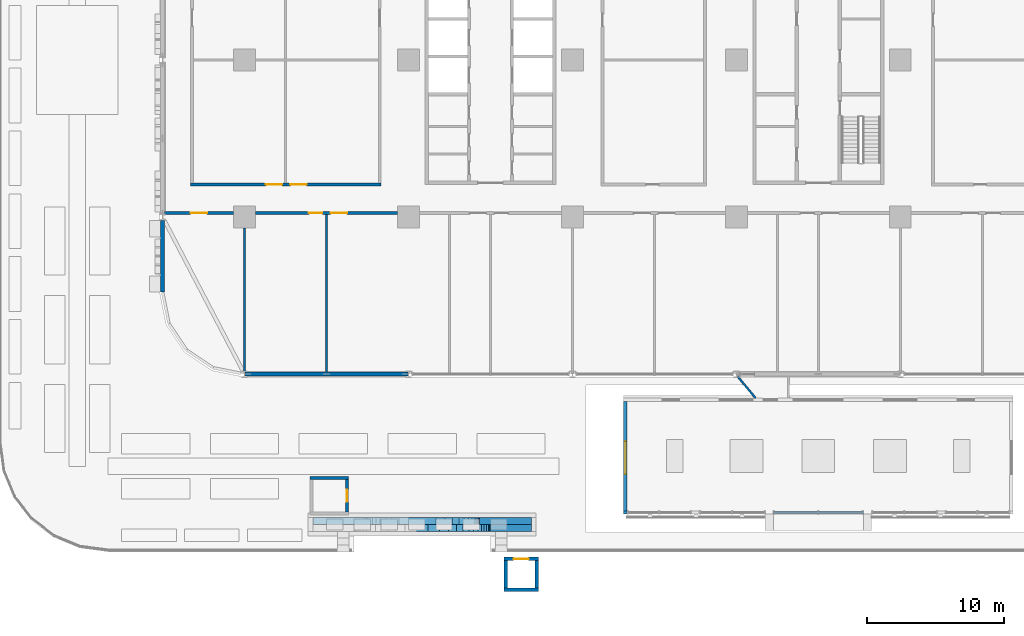
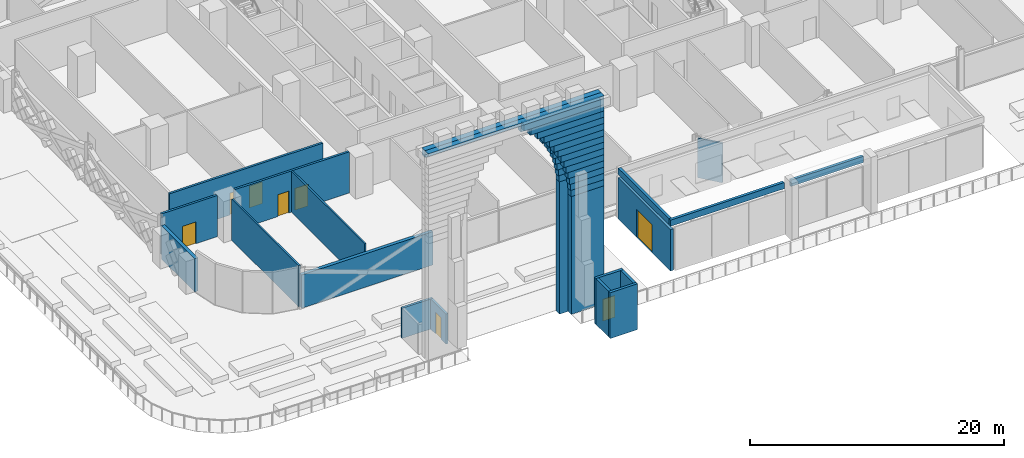
# One storey, part 11 of 39: 48 walls, 8 doors, 8 openings.
"""IFC4 building model written with IfcOpenShell, lengths in metres."""

from ifc_helpers import new_model, si_unit, direction, frame, frame_2d, origin, place, context, subcontext, project, spatial, polyline, rectangle, outline, extrude, material, layer, layer_set, type_object, element, fill, save


model = new_model("IFC4")

# Units and contexts
model_context = context("Model", 3, precision=1e-05, world=origin(), true_north=direction((0.0, 1.0)))
body_context = subcontext(model_context, "Body", "Model", "MODEL_VIEW")
ifc_project = project(units=[si_unit("LENGTHUNIT", "METRE"), si_unit("AREAUNIT", "SQUARE_METRE"), si_unit("VOLUMEUNIT", "CUBIC_METRE"), si_unit("PLANEANGLEUNIT", "RADIAN"), si_unit("MASSUNIT", "GRAM", prefix="KILO")], contexts=[model_context])

# Site, building, storey
site_placement = place(None, origin())
site = spatial("IfcSite", under=ifc_project, at=site_placement, CompositionType="ELEMENT")
building_placement = place(site_placement, origin())
building = spatial("IfcBuilding", under=site, at=building_placement, Name="Mahtab Terrace Research Tower", CompositionType="ELEMENT")
storey_placement = place(building_placement, frame((0.0, 0.0, 7.199951171875)))
storey = spatial("IfcBuildingStorey", under=building, at=storey_placement, Name="L01", CompositionType="ELEMENT", Elevation=7.199951171875)

# Wall
ifc_material_1 = material(Name="Concrete C40/50", Category="concrete")
ifc_layer_1 = layer(ifc_material_1, 0.199951171875)
ifc_layer_set_1 = layer_set([ifc_layer_1], Name="Deck kiosk wall 200")
wall_type_1 = type_object("IfcWallType", Name="Deck kiosk wall 200", PredefinedType="SOLIDWALL", material=ifc_layer_set_1)
wall_1_placement = place(storey_placement, frame((-37.199951171875, -30.60009765625, 0.0), z_axis=(0.0, 0.0, 1.0), x_axis=(1.0, 0.0, 0.0)))
element("IfcWall", 1, at=wall_1_placement, inside=storey, type_object=wall_type_1, Name="Deck kiosk wall PS1", PredefinedType="SOLIDWALL", context=body_context, shape_type="SweptSolid", body=[
    extrude(rectangle(XDim=2.800048828125, YDim=0.199951171875, at=frame_2d((1.39990234375, 0.0))), origin(), (0.0, 0.0, 1.0), 2.900146484375),
])

# Wall, opening, door
wall_2_placement = place(storey_placement, frame((-34.5, -30.699951171875, 0.0), z_axis=(0.0, 0.0, 1.0), x_axis=(0.0, -1.0, 0.0)))
wall_2 = element("IfcWall", 2, at=wall_2_placement, inside=storey, type_object=wall_type_1, Name="Deck kiosk wall PS1", PredefinedType="SOLIDWALL", context=body_context, shape_type="SweptSolid", body=[
    extrude(rectangle(XDim=2.400146484375, YDim=0.199951171875, at=frame_2d((1.2001953125, 0.0))), origin(), (0.0, 0.0, 1.0), 2.900146484375),
])
opening_1_placement = place(wall_2_placement, frame((0.75, 0.0, 0.0)))
opening_1 = element("IfcOpeningElement", 3, at=opening_1_placement, cuts=wall_2, Name="Opening DK-1", PredefinedType="OPENING", context=body_context, shape_type="SweptSolid", body=[
    extrude(rectangle(XDim=0.89990234375, YDim=2.10009765625, at=frame_2d((0.449951171875, 1.050048828125))), frame((0.0, 0.10986328125, 0.0), z_axis=(0.0, -1.0, 0.0), x_axis=(1.0, 0.0, 0.0)), (0.0, 0.0, 1.0), 0.219970703125),
])
ifc_material_2 = material(Name="Aluminium framed glazed door", Category="aluminium")
door_type_1 = type_object("IfcDoorType", Name="Deck kiosk door 900x2100", OperationType="NOTDEFINED", PredefinedType="DOOR", material=ifc_material_2)
door_1_placement = place(opening_1_placement, origin())
door_1 = element("IfcDoor", 4, at=door_1_placement, inside=storey, type_object=door_type_1, Name="Deck kiosk door PS1", OperationType="SINGLE_SWING_LEFT", OverallHeight=2.10009765625, OverallWidth=0.89990234375, PredefinedType="DOOR", context=body_context, shape_type="SweptSolid", body=[
    extrude(rectangle(XDim=0.89990234375, YDim=2.10009765625, at=frame_2d((0.449951171875, 1.050048828125))), frame((0.0, 0.02490234375, 0.0), z_axis=(0.0, -1.0, 0.0), x_axis=(1.0, 0.0, 0.0)), (0.0, 0.0, 1.0), 0.050048828125),
])
fill(opening_1, door_1)

# Walls
ifc_material_3 = material(Name="Precast concrete C40/50", Category="concrete")
ifc_layer_2 = layer(ifc_material_3, 1.0)
ifc_layer_set_2 = layer_set([ifc_layer_2], Name="Iwan portal wall 1200")
wall_type_2 = type_object("IfcWallType", Name="Iwan portal wall 1200", PredefinedType="NOTDEFINED", material=ifc_layer_set_2)
wall_3_placement = place(storey_placement, origin())
element("IfcWall", 5, at=wall_3_placement, inside=storey, type_object=wall_type_2, Name="Iwan portal", PredefinedType="NOTDEFINED", context=body_context, shape_type="SweptSolid", body=[
    extrude(outline(polyline([(-24.0, -34.5), (-21.0, -34.5), (-21.0, -34.0), (-24.0, -34.0), (-24.0, -34.5)])), origin(), (0.0, 0.0, 1.0), 11.33984375),
])
wall_4_placement = place(storey_placement, frame((0.0, 0.0, 11.33984375)))
element("IfcWall", 6, at=wall_4_placement, inside=storey, type_object=wall_type_2, Name="Iwan portal", PredefinedType="NOTDEFINED", context=body_context, shape_type="SweptSolid", body=[
    extrude(outline(polyline([(-24.01806640625, -34.5), (-21.0, -34.5), (-21.0, -34.0), (-24.01806640625, -34.0), (-24.01806640625, -34.5)])), origin(), (0.0, 0.0, 1.0), 0.599853515625),
])
wall_5_placement = place(storey_placement, frame((0.0, 0.0, 11.939697265625)))
element("IfcWall", 7, at=wall_5_placement, inside=storey, type_object=wall_type_2, Name="Iwan portal", PredefinedType="NOTDEFINED", context=body_context, shape_type="SweptSolid", body=[
    extrude(outline(polyline([(-24.072021484375, -34.5), (-21.0, -34.5), (-21.0, -34.0), (-24.072021484375, -34.0), (-24.072021484375, -34.5)])), origin(), (0.0, 0.0, 1.0), 0.60009765625),
])
wall_6_placement = place(storey_placement, frame((0.0, 0.0, 12.539794921875)))
element("IfcWall", 8, at=wall_6_placement, inside=storey, type_object=wall_type_2, Name="Iwan portal", PredefinedType="NOTDEFINED", context=body_context, shape_type="SweptSolid", body=[
    extrude(outline(polyline([(-24.1630859375, -34.5), (-21.0, -34.5), (-21.0, -34.0), (-24.1630859375, -34.0), (-24.1630859375, -34.5)])), origin(), (0.0, 0.0, 1.0), 0.599853515625),
])
wall_7_placement = place(storey_placement, frame((0.0, 0.0, 13.1396484375)))
element("IfcWall", 9, at=wall_7_placement, inside=storey, type_object=wall_type_2, Name="Iwan portal", PredefinedType="NOTDEFINED", context=body_context, shape_type="SweptSolid", body=[
    extrude(outline(polyline([(-24.2919921875, -34.5), (-21.0, -34.5), (-21.0, -34.0), (-24.2919921875, -34.0), (-24.2919921875, -34.5)])), origin(), (0.0, 0.0, 1.0), 0.60009765625),
])
wall_8_placement = place(storey_placement, frame((0.0, 0.0, 13.73974609375)))
element("IfcWall", 10, at=wall_8_placement, inside=storey, type_object=wall_type_2, Name="Iwan portal", PredefinedType="NOTDEFINED", context=body_context, shape_type="SweptSolid", body=[
    extrude(outline(polyline([(-24.4609375, -34.5), (-21.0, -34.5), (-21.0, -34.0), (-24.4609375, -34.0), (-24.4609375, -34.5)])), origin(), (0.0, 0.0, 1.0), 0.60009765625),
])
wall_9_placement = place(storey_placement, frame((0.0, 0.0, 14.33984375)))
element("IfcWall", 11, at=wall_9_placement, inside=storey, type_object=wall_type_2, Name="Iwan portal", PredefinedType="NOTDEFINED", context=body_context, shape_type="SweptSolid", body=[
    extrude(outline(polyline([(-24.669921875, -34.5), (-21.0, -34.5), (-21.0, -34.0), (-24.669921875, -34.0), (-24.669921875, -34.5)])), origin(), (0.0, 0.0, 1.0), 0.599853515625),
])
wall_10_placement = place(storey_placement, frame((0.0, 0.0, 14.939697265625)))
element("IfcWall", 12, at=wall_10_placement, inside=storey, type_object=wall_type_2, Name="Iwan portal", PredefinedType="NOTDEFINED", context=body_context, shape_type="SweptSolid", body=[
    extrude(outline(polyline([(-24.925048828125, -34.5), (-21.0, -34.5), (-21.0, -34.0), (-24.925048828125, -34.0), (-24.925048828125, -34.5)])), origin(), (0.0, 0.0, 1.0), 0.60009765625),
])
wall_11_placement = place(storey_placement, frame((0.0, 0.0, 15.539794921875)))
element("IfcWall", 13, at=wall_11_placement, inside=storey, type_object=wall_type_2, Name="Iwan portal", PredefinedType="NOTDEFINED", context=body_context, shape_type="SweptSolid", body=[
    extrude(outline(polyline([(-25.22705078125, -34.5), (-21.0, -34.5), (-21.0, -34.0), (-25.22705078125, -34.0), (-25.22705078125, -34.5)])), origin(), (0.0, 0.0, 1.0), 0.599853515625),
])
wall_12_placement = place(storey_placement, frame((0.0, 0.0, 16.1396484375)))
element("IfcWall", 14, at=wall_12_placement, inside=storey, type_object=wall_type_2, Name="Iwan portal", PredefinedType="NOTDEFINED", context=body_context, shape_type="SweptSolid", body=[
    extrude(outline(polyline([(-25.5830078125, -34.5), (-21.0, -34.5), (-21.0, -34.0), (-25.5830078125, -34.0), (-25.5830078125, -34.5)])), origin(), (0.0, 0.0, 1.0), 0.60009765625),
])
wall_13_placement = place(storey_placement, frame((0.0, 0.0, 16.73974609375)))
element("IfcWall", 15, at=wall_13_placement, inside=storey, type_object=wall_type_2, Name="Iwan portal", PredefinedType="NOTDEFINED", context=body_context, shape_type="SweptSolid", body=[
    extrude(outline(polyline([(-26.0, -34.5), (-21.0, -34.5), (-21.0, -34.0), (-26.0, -34.0), (-26.0, -34.5)])), origin(), (0.0, 0.0, 1.0), 0.60009765625),
])
wall_14_placement = place(storey_placement, frame((0.0, 0.0, 17.33984375)))
element("IfcWall", 16, at=wall_14_placement, inside=storey, type_object=wall_type_2, Name="Iwan portal", PredefinedType="NOTDEFINED", context=body_context, shape_type="SweptSolid", body=[
    extrude(outline(polyline([(-26.487060546875, -34.5), (-21.0, -34.5), (-21.0, -34.0), (-26.487060546875, -34.0), (-26.487060546875, -34.5)])), origin(), (0.0, 0.0, 1.0), 0.599853515625),
])
wall_15_placement = place(storey_placement, frame((0.0, 0.0, 17.939697265625)))
element("IfcWall", 17, at=wall_15_placement, inside=storey, type_object=wall_type_2, Name="Iwan portal", PredefinedType="NOTDEFINED", context=body_context, shape_type="SweptSolid", body=[
    extrude(outline(polyline([(-27.06005859375, -34.5), (-21.0, -34.5), (-21.0, -34.0), (-27.06005859375, -34.0), (-27.06005859375, -34.5)])), origin(), (0.0, 0.0, 1.0), 0.60009765625),
])
wall_16_placement = place(storey_placement, frame((0.0, 0.0, 18.539794921875)))
element("IfcWall", 18, at=wall_16_placement, inside=storey, type_object=wall_type_2, Name="Iwan portal", PredefinedType="NOTDEFINED", context=body_context, shape_type="SweptSolid", body=[
    extrude(outline(polyline([(-27.741943359375, -34.5), (-21.0, -34.5), (-21.0, -34.0), (-27.741943359375, -34.0), (-27.741943359375, -34.5)])), origin(), (0.0, 0.0, 1.0), 0.599853515625),
])
wall_17_placement = place(storey_placement, frame((0.0, 0.0, 19.1396484375)))
element("IfcWall", 19, at=wall_17_placement, inside=storey, type_object=wall_type_2, Name="Iwan portal", PredefinedType="NOTDEFINED", context=body_context, shape_type="SweptSolid", body=[
    extrude(outline(polyline([(-28.573974609375, -34.5), (-21.0, -34.5), (-21.0, -34.0), (-28.573974609375, -34.0), (-28.573974609375, -34.5)])), origin(), (0.0, 0.0, 1.0), 0.60009765625),
])
wall_18_placement = place(storey_placement, frame((0.0, 0.0, 19.73974609375)))
element("IfcWall", 20, at=wall_18_placement, inside=storey, type_object=wall_type_2, Name="Iwan portal", PredefinedType="NOTDEFINED", context=body_context, shape_type="SweptSolid", body=[
    extrude(outline(polyline([(-37.0, -34.5), (-21.0, -34.5), (-21.0, -34.0), (-37.0, -34.0), (-37.0, -34.5)])), origin(), (0.0, 0.0, 1.0), 0.26025390625),
])
wall_19_placement = place(storey_placement, origin())
element("IfcWall", 21, at=wall_19_placement, inside=storey, type_object=wall_type_2, Name="Iwan portal", PredefinedType="NOTDEFINED", context=body_context, shape_type="SweptSolid", body=[
    extrude(outline(polyline([(-24.800048828125, -34.0), (-21.0, -34.0), (-21.0, -33.5), (-24.800048828125, -33.5), (-24.800048828125, -34.0)])), origin(), (0.0, 0.0, 1.0), 12.725341796875),
])
wall_20_placement = place(storey_placement, frame((0.0, 0.0, 12.725341796875)))
element("IfcWall", 22, at=wall_20_placement, inside=storey, type_object=wall_type_2, Name="Iwan portal", PredefinedType="NOTDEFINED", context=body_context, shape_type="SweptSolid", body=[
    extrude(outline(polyline([(-24.821044921875, -34.0), (-21.0, -34.0), (-21.0, -33.5), (-24.821044921875, -33.5), (-24.821044921875, -34.0)])), origin(), (0.0, 0.0, 1.0), 0.60009765625),
])
wall_21_placement = place(storey_placement, frame((0.0, 0.0, 13.325439453125)))
element("IfcWall", 23, at=wall_21_placement, inside=storey, type_object=wall_type_2, Name="Iwan portal", PredefinedType="NOTDEFINED", context=body_context, shape_type="SweptSolid", body=[
    extrude(outline(polyline([(-24.885986328125, -34.0), (-21.0, -34.0), (-21.0, -33.5), (-24.885986328125, -33.5), (-24.885986328125, -34.0)])), origin(), (0.0, 0.0, 1.0), 0.60009765625),
])
wall_22_placement = place(storey_placement, frame((0.0, 0.0, 13.925537109375)))
element("IfcWall", 24, at=wall_22_placement, inside=storey, type_object=wall_type_2, Name="Iwan portal", PredefinedType="NOTDEFINED", context=body_context, shape_type="SweptSolid", body=[
    extrude(outline(polyline([(-24.9951171875, -34.0), (-21.0, -34.0), (-21.0, -33.5), (-24.9951171875, -33.5), (-24.9951171875, -34.0)])), origin(), (0.0, 0.0, 1.0), 0.599853515625),
])
wall_23_placement = place(storey_placement, frame((0.0, 0.0, 14.525390625)))
element("IfcWall", 25, at=wall_23_placement, inside=storey, type_object=wall_type_2, Name="Iwan portal", PredefinedType="NOTDEFINED", context=body_context, shape_type="SweptSolid", body=[
    extrude(outline(polyline([(-25.14990234375, -34.0), (-21.0, -34.0), (-21.0, -33.5), (-25.14990234375, -33.5), (-25.14990234375, -34.0)])), origin(), (0.0, 0.0, 1.0), 0.60009765625),
])
wall_24_placement = place(storey_placement, frame((0.0, 0.0, 15.12548828125)))
element("IfcWall", 26, at=wall_24_placement, inside=storey, type_object=wall_type_2, Name="Iwan portal", PredefinedType="NOTDEFINED", context=body_context, shape_type="SweptSolid", body=[
    extrude(outline(polyline([(-25.35400390625, -34.0), (-21.0, -34.0), (-21.0, -33.5), (-25.35400390625, -33.5), (-25.35400390625, -34.0)])), origin(), (0.0, 0.0, 1.0), 0.599853515625),
])
wall_25_placement = place(storey_placement, frame((0.0, 0.0, 15.725341796875)))
element("IfcWall", 27, at=wall_25_placement, inside=storey, type_object=wall_type_2, Name="Iwan portal", PredefinedType="NOTDEFINED", context=body_context, shape_type="SweptSolid", body=[
    extrude(outline(polyline([(-25.611083984375, -34.0), (-21.0, -34.0), (-21.0, -33.5), (-25.611083984375, -33.5), (-25.611083984375, -34.0)])), origin(), (0.0, 0.0, 1.0), 0.60009765625),
])
wall_26_placement = place(storey_placement, frame((0.0, 0.0, 16.325439453125)))
element("IfcWall", 28, at=wall_26_placement, inside=storey, type_object=wall_type_2, Name="Iwan portal", PredefinedType="NOTDEFINED", context=body_context, shape_type="SweptSolid", body=[
    extrude(outline(polyline([(-25.925048828125, -34.0), (-21.0, -34.0), (-21.0, -33.5), (-25.925048828125, -33.5), (-25.925048828125, -34.0)])), origin(), (0.0, 0.0, 1.0), 0.60009765625),
])
wall_27_placement = place(storey_placement, frame((0.0, 0.0, 16.925537109375)))
element("IfcWall", 29, at=wall_27_placement, inside=storey, type_object=wall_type_2, Name="Iwan portal", PredefinedType="NOTDEFINED", context=body_context, shape_type="SweptSolid", body=[
    extrude(outline(polyline([(-26.306884765625, -34.0), (-21.0, -34.0), (-21.0, -33.5), (-26.306884765625, -33.5), (-26.306884765625, -34.0)])), origin(), (0.0, 0.0, 1.0), 0.599853515625),
])
wall_28_placement = place(storey_placement, frame((0.0, 0.0, 17.525390625)))
element("IfcWall", 30, at=wall_28_placement, inside=storey, type_object=wall_type_2, Name="Iwan portal", PredefinedType="NOTDEFINED", context=body_context, shape_type="SweptSolid", body=[
    extrude(outline(polyline([(-26.76611328125, -34.0), (-21.0, -34.0), (-21.0, -33.5), (-26.76611328125, -33.5), (-26.76611328125, -34.0)])), origin(), (0.0, 0.0, 1.0), 0.60009765625),
])
wall_29_placement = place(storey_placement, frame((0.0, 0.0, 18.12548828125)))
element("IfcWall", 31, at=wall_29_placement, inside=storey, type_object=wall_type_2, Name="Iwan portal", PredefinedType="NOTDEFINED", context=body_context, shape_type="SweptSolid", body=[
    extrude(outline(polyline([(-27.321044921875, -34.0), (-21.0, -34.0), (-21.0, -33.5), (-27.321044921875, -33.5), (-27.321044921875, -34.0)])), origin(), (0.0, 0.0, 1.0), 0.599853515625),
])
wall_30_placement = place(storey_placement, frame((0.0, 0.0, 18.725341796875)))
element("IfcWall", 32, at=wall_30_placement, inside=storey, type_object=wall_type_2, Name="Iwan portal", PredefinedType="NOTDEFINED", context=body_context, shape_type="SweptSolid", body=[
    extrude(outline(polyline([(-28.00390625, -34.0), (-21.0, -34.0), (-21.0, -33.5), (-28.00390625, -33.5), (-28.00390625, -34.0)])), origin(), (0.0, 0.0, 1.0), 0.60009765625),
])
wall_31_placement = place(storey_placement, frame((0.0, 0.0, 19.325439453125)))
element("IfcWall", 33, at=wall_31_placement, inside=storey, type_object=wall_type_2, Name="Iwan portal", PredefinedType="NOTDEFINED", context=body_context, shape_type="SweptSolid", body=[
    extrude(outline(polyline([(-37.0, -34.0), (-21.0, -34.0), (-21.0, -33.5), (-37.0, -33.5), (-37.0, -34.0)])), origin(), (0.0, 0.0, 1.0), 0.60009765625),
])
wall_32_placement = place(storey_placement, frame((0.0, 0.0, 19.925537109375)))
element("IfcWall", 34, at=wall_32_placement, inside=storey, type_object=wall_type_2, Name="Iwan portal", PredefinedType="NOTDEFINED", context=body_context, shape_type="SweptSolid", body=[
    extrude(outline(polyline([(-37.0, -34.0), (-21.0, -34.0), (-21.0, -33.5), (-37.0, -33.5), (-37.0, -34.0)])), origin(), (0.0, 0.0, 1.0), 0.074462890625),
])
ifc_material_4 = material(Name="Black aluminium cladding panel", Category="aluminium")
ifc_layer_3 = layer(ifc_material_4, 0.300048828125)
ifc_layer_set_3 = layer_set([ifc_layer_3], Name="Opaque facade wall 300")
wall_type_3 = type_object("IfcWallType", Name="Opaque facade wall 300", PredefinedType="NOTDEFINED", material=ifc_layer_set_3)
wall_33_placement = place(storey_placement, frame((-48.0, -11.7490234375, 0.0), z_axis=(0.0, 0.0, 1.0), x_axis=(0.0, -1.0, 0.0)))
element("IfcWall", 35, at=wall_33_placement, inside=storey, type_object=wall_type_3, Name="Opaque facade wall L01 W17", PredefinedType="NOTDEFINED", context=body_context, shape_type="SweptSolid", body=[
    extrude(rectangle(XDim=5.2509765625, YDim=0.300048828125, at=frame_2d((2.62548828125, 0.0))), origin(), (0.0, 0.0, 1.0), 3.203125),
])
wall_34_placement = place(storey_placement, frame((-41.97216796875, -23.0, 0.0), z_axis=(0.0, 0.0, 1.0), x_axis=(1.0, 0.0, 0.0)))
element("IfcWall", 36, at=wall_34_placement, inside=storey, type_object=wall_type_3, Name="Opaque facade wall L01 S22", PredefinedType="NOTDEFINED", context=body_context, shape_type="SweptSolid", body=[
    extrude(rectangle(XDim=11.9443359375, YDim=0.300048828125, at=frame_2d((5.97216796875, 0.0))), origin(), (0.0, 0.0, 1.0), 3.203125),
])
ifc_layer_4 = layer(ifc_material_1, 0.14990234375)
ifc_layer_set_4 = layer_set([ifc_layer_4], Name="Pavilion link wall 150")
wall_type_4 = type_object("IfcWallType", Name="Pavilion link wall 150", PredefinedType="SOLIDWALL", material=ifc_layer_set_4)
wall_35_placement = place(storey_placement, frame((-4.60009765625, -24.75, 0.0), z_axis=(0.0, 0.0, 1.0), x_axis=(-0.637776936143, 0.770221123914, 0.0)))
element("IfcWall", 37, at=wall_35_placement, inside=storey, type_object=wall_type_4, Name="Pavilion link wall W", PredefinedType="SOLIDWALL", context=body_context, shape_type="SweptSolid", body=[
    extrude(rectangle(XDim=2.077392578125, YDim=0.14990234375, at=frame_2d((1.03857421875, 0.0))), origin(), (0.0, 0.0, 1.0), 3.800048828125),
])

# Wall, opening, door
ifc_material_5 = material(Name="Concrete C70/85", Category="concrete")
ifc_layer_5 = layer(ifc_material_5, 0.25)
ifc_layer_set_5 = layer_set([ifc_layer_5], Name="Pavilion wall 250")
wall_type_5 = type_object("IfcWallType", Name="Pavilion wall 250", PredefinedType="SOLIDWALL", material=ifc_layer_set_5)
wall_36_placement = place(storey_placement, frame((-14.125, -33.25, 0.0), z_axis=(0.0, 0.0, 1.0), x_axis=(0.0, 1.0, 0.0)))
wall_36 = element("IfcWall", 38, at=wall_36_placement, inside=storey, type_object=wall_type_5, Name="Pavilion end wall W", PredefinedType="SOLIDWALL", context=body_context, shape_type="SweptSolid", body=[
    extrude(rectangle(XDim=8.25, YDim=0.25, at=frame_2d((4.125, 0.0))), origin(), (0.0, 0.0, 1.0), 4.0),
])
opening_2_placement = place(wall_36_placement, frame((2.925048828125, 0.0, 0.0)))
opening_2 = element("IfcOpeningElement", 39, at=opening_2_placement, cuts=wall_36, Name="Opening ED5", PredefinedType="OPENING", context=body_context, shape_type="SweptSolid", body=[
    extrude(rectangle(XDim=2.39990234375, YDim=2.699951171875, at=frame_2d((1.199951171875, 1.35009765625))), frame((0.0, 0.135009765625, 0.0), z_axis=(0.0, -1.0, 0.0), x_axis=(1.0, 0.0, 0.0)), (0.0, 0.0, 1.0), 0.27001953125),
])
ifc_material_6 = material(Name="Black anodised aluminium", Category="aluminium")
door_type_2 = type_object("IfcDoorType", Name="Pavilion entrance door 2400x2700", OperationType="DOUBLE_DOOR_DOUBLE_SWING", PredefinedType="DOOR", material=ifc_material_6)
door_2_placement = place(opening_2_placement, origin())
door_2 = element("IfcDoor", 40, at=door_2_placement, inside=storey, type_object=door_type_2, Name="Pavilion entrance door W", OperationType="SINGLE_SWING_LEFT", OverallHeight=2.699951171875, OverallWidth=2.39990234375, PredefinedType="DOOR", context=body_context, shape_type="SweptSolid", body=[
    extrude(rectangle(XDim=2.39990234375, YDim=2.699951171875, at=frame_2d((1.199951171875, 1.35009765625))), frame((0.0, 0.02490234375, 0.0), z_axis=(0.0, -1.0, 0.0), x_axis=(1.0, 0.0, 0.0)), (0.0, 0.0, 1.0), 0.050048828125),
])
fill(opening_2, door_2)

# Wall
ifc_layer_6 = layer(ifc_material_1, 0.25)
ifc_layer_set_6 = layer_set([ifc_layer_6], Name="Public lift shaft wall 250")
wall_type_6 = type_object("IfcWallType", Name="Public lift shaft wall 250", PredefinedType="SOLIDWALL", material=ifc_layer_set_6)
wall_37_placement = place(storey_placement, frame((-20.5, -38.77490234375, 0.0), z_axis=(0.0, 0.0, 1.0), x_axis=(-1.0, 0.0, 0.0)))
element("IfcWall", 41, at=wall_37_placement, inside=storey, type_object=wall_type_6, Name="Public lift shaft wall S", PredefinedType="SOLIDWALL", context=body_context, shape_type="SweptSolid", body=[
    extrude(rectangle(XDim=2.5, YDim=0.25, at=frame_2d((1.25, 0.0))), origin(), (0.0, 0.0, 1.0), 4.400146484375),
])

# Wall, opening, door
wall_38_placement = place(storey_placement, frame((-23.0, -36.52490234375, 0.0), z_axis=(0.0, 0.0, 1.0), x_axis=(1.0, 0.0, 0.0)))
wall_38 = element("IfcWall", 42, at=wall_38_placement, inside=storey, type_object=wall_type_6, Name="Public lift shaft wall N", PredefinedType="SOLIDWALL", context=body_context, shape_type="SweptSolid", body=[
    extrude(rectangle(XDim=2.5, YDim=0.25, at=frame_2d((1.25, 0.0))), origin(), (0.0, 0.0, 1.0), 4.400146484375),
])
opening_3_placement = place(wall_38_placement, frame((0.699951171875, 0.0, 0.0)))
opening_3 = element("IfcOpeningElement", 43, at=opening_3_placement, cuts=wall_38, Name="Opening LD22-L01", PredefinedType="OPENING", context=body_context, shape_type="SweptSolid", body=[
    extrude(rectangle(XDim=1.10009765625, YDim=2.10009765625, at=frame_2d((0.550048828125, 1.050048828125))), frame((0.0, 0.135009765625, 0.0), z_axis=(0.0, -1.0, 0.0), x_axis=(1.0, 0.0, 0.0)), (0.0, 0.0, 1.0), 0.27001953125),
])
ifc_material_7 = material(Name="Stainless steel AISI 304", Category="steel")
door_type_3 = type_object("IfcDoorType", Name="Landing door 1100x2100", OperationType="DOUBLE_DOOR_SLIDING", PredefinedType="DOOR", material=ifc_material_7)
door_3_placement = place(opening_3_placement, origin())
door_3 = element("IfcDoor", 44, at=door_3_placement, inside=storey, type_object=door_type_3, Name="Landing door PL1 L01", OperationType="DOUBLE_DOOR_SLIDING", OverallHeight=2.10009765625, OverallWidth=1.10009765625, PredefinedType="DOOR", context=body_context, shape_type="SweptSolid", body=[
    extrude(rectangle(XDim=1.10009765625, YDim=2.10009765625, at=frame_2d((0.550048828125, 1.050048828125))), frame((0.0, 0.02490234375, 0.0), z_axis=(0.0, -1.0, 0.0), x_axis=(1.0, 0.0, 0.0)), (0.0, 0.0, 1.0), 0.050048828125),
])
fill(opening_3, door_3)

# Walls
for number, where, z_axis, x_axis, name in (
    (45, (-22.875, -38.64990234375, 0.0), (0.0, 0.0, 1.0), (0.0, 1.0, 0.0), "Public lift shaft wall W"),
    (46, (-20.625, -36.64990234375, 0.0), (0.0, 0.0, 1.0), (0.0, -1.0, 0.0), "Public lift shaft wall E"),
):
    element("IfcWall", number, at=place(storey_placement, frame(where, z_axis=z_axis, x_axis=x_axis)), inside=storey, type_object=wall_type_6, Name=name, PredefinedType="SOLIDWALL", context=body_context, shape_type="SweptSolid", body=[
        extrude(rectangle(XDim=2.0, YDim=0.25, at=frame_2d((1.0, 0.0))), origin(), (0.0, 0.0, 1.0), 4.400146484375),
    ])
ifc_layer_7 = layer(ifc_material_3, 0.25)
ifc_layer_set_7 = layer_set([ifc_layer_7], Name="Roof parapet wall 250")
wall_type_7 = type_object("IfcWallType", Name="Roof parapet wall 250", PredefinedType="PARAPET", material=ifc_layer_set_7)
wall_39_placement = place(storey_placement, frame((-14.125, -33.0, 4.300048828125), z_axis=(0.0, 0.0, 1.0), x_axis=(0.0, 1.0, 0.0)))
element("IfcWall", 47, at=wall_39_placement, inside=storey, type_object=wall_type_7, Name="Pavilion roof parapet W", PredefinedType="PARAPET", context=body_context, shape_type="SweptSolid", body=[
    extrude(rectangle(XDim=8.0, YDim=0.25, at=frame_2d((4.0, 0.0))), origin(), (0.0, 0.0, 1.0), 0.60009765625),
])
wall_40_placement = place(storey_placement, frame((-14.25, -33.125, 4.300048828125), z_axis=(0.0, 0.0, 1.0), x_axis=(1.0, 0.0, 0.0)))
element("IfcWall", 48, at=wall_40_placement, inside=storey, type_object=wall_type_7, Name="Pavilion roof parapet F1", PredefinedType="PARAPET", context=body_context, shape_type="SweptSolid", body=[
    extrude(rectangle(XDim=10.35009765625, YDim=0.25, at=frame_2d((5.175048828125, 0.0))), origin(), (0.0, 0.0, 1.0), 0.60009765625),
])
wall_41_placement = place(storey_placement, frame((-3.300048828125, -33.125, 4.300048828125), z_axis=(0.0, 0.0, 1.0), x_axis=(1.0, 0.0, 0.0)))
element("IfcWall", 49, at=wall_41_placement, inside=storey, type_object=wall_type_7, Name="Pavilion roof parapet F2", PredefinedType="PARAPET", context=body_context, shape_type="SweptSolid", body=[
    extrude(rectangle(XDim=6.60009765625, YDim=0.25, at=frame_2d((3.300048828125, 0.0))), origin(), (0.0, 0.0, 1.0), 0.60009765625),
])

# Wall, opening, door
ifc_material_8 = material(Name="Gypsum board corridor wall on steel studs", Category="steel")
ifc_layer_8 = layer(ifc_material_8, 0.199951171875)
ifc_layer_set_8 = layer_set([ifc_layer_8], Name="WALL CORRIDOR 200")
wall_type_8 = type_object("IfcWallType", Name="WALL CORRIDOR 200", PredefinedType="PARTITIONING", material=ifc_layer_set_8)
wall_42_placement = place(storey_placement, frame((-47.85009765625, -11.199951171875, 0.0), z_axis=(0.0, 0.0, 1.0), x_axis=(1.0, 0.0, 0.0)))
wall_42 = element("IfcWall", 50, at=wall_42_placement, inside=storey, type_object=wall_type_8, Name="L01-W001", PredefinedType="PARTITIONING", context=body_context, shape_type="SweptSolid", body=[
    extrude(rectangle(XDim=5.050048828125, YDim=0.199951171875, at=frame_2d((2.52490234375, 0.0))), origin(), (0.0, 0.0, 1.0), 3.9599609375),
])
opening_4_placement = place(wall_42_placement, frame((1.89990234375, 0.0, 0.0)))
opening_4 = element("IfcOpeningElement", 51, at=opening_4_placement, cuts=wall_42, Name="Opening L01-101", PredefinedType="OPENING", context=body_context, shape_type="SweptSolid", body=[
    extrude(rectangle(XDim=1.199951171875, YDim=2.10009765625, at=frame_2d((0.60009765625, 1.050048828125))), frame((0.0, 0.10986328125, 0.0), z_axis=(0.0, -1.0, 0.0), x_axis=(1.0, 0.0, 0.0)), (0.0, 0.0, 1.0), 0.219970703125),
])
ifc_material_9 = material(Name="Timber door leaf in steel frame", Category="steel")
door_type_4 = type_object("IfcDoorType", Name="DOOR 1200X2100 FD30S", OperationType="SINGLE_SWING_LEFT", PredefinedType="DOOR", material=ifc_material_9)
door_4_placement = place(opening_4_placement, origin())
door_4 = element("IfcDoor", 52, at=door_4_placement, inside=storey, type_object=door_type_4, Name="Door L01-101", OperationType="SINGLE_SWING_RIGHT", OverallHeight=2.10009765625, OverallWidth=1.199951171875, PredefinedType="DOOR", context=body_context, shape_type="SweptSolid", body=[
    extrude(rectangle(XDim=1.199951171875, YDim=2.10009765625, at=frame_2d((0.60009765625, 1.050048828125))), frame((0.0, 0.02490234375, 0.0), z_axis=(0.0, -1.0, 0.0), x_axis=(1.0, 0.0, 0.0)), (0.0, 0.0, 1.0), 0.050048828125),
])
fill(opening_4, door_4)

# Wall, openings, doors
wall_43_placement = place(storey_placement, frame((-41.199951171875, -11.199951171875, 0.0), z_axis=(0.0, 0.0, 1.0), x_axis=(1.0, 0.0, 0.0)))
wall_43 = element("IfcWall", 53, at=wall_43_placement, inside=storey, type_object=wall_type_8, Name="L01-W002", PredefinedType="PARTITIONING", context=body_context, shape_type="SweptSolid", body=[
    extrude(rectangle(XDim=10.39990234375, YDim=0.199951171875, at=frame_2d((5.199951171875, 0.0))), origin(), (0.0, 0.0, 1.0), 3.9599609375),
])
opening_5_placement = place(wall_43_placement, frame((3.89990234375, 0.0, 0.0)))
opening_5 = element("IfcOpeningElement", 54, at=opening_5_placement, cuts=wall_43, Name="Opening L01-102", PredefinedType="OPENING", context=body_context, shape_type="SweptSolid", body=[
    extrude(rectangle(XDim=1.0, YDim=2.10009765625, at=frame_2d((0.5, 1.050048828125))), frame((0.0, 0.10986328125, 0.0), z_axis=(0.0, -1.0, 0.0), x_axis=(1.0, 0.0, 0.0)), (0.0, 0.0, 1.0), 0.219970703125),
])
opening_6_placement = place(wall_43_placement, frame((5.5, 0.0, 0.0)))
opening_6 = element("IfcOpeningElement", 55, at=opening_6_placement, cuts=wall_43, Name="Opening L01-103", PredefinedType="OPENING", context=body_context, shape_type="SweptSolid", body=[
    extrude(rectangle(XDim=1.199951171875, YDim=2.10009765625, at=frame_2d((0.60009765625, 1.050048828125))), frame((0.0, 0.10986328125, 0.0), z_axis=(0.0, -1.0, 0.0), x_axis=(1.0, 0.0, 0.0)), (0.0, 0.0, 1.0), 0.219970703125),
])
door_type_5 = type_object("IfcDoorType", Name="DOOR 1000X2100 FD30S", OperationType="SINGLE_SWING_LEFT", PredefinedType="DOOR", material=ifc_material_9)
door_5_placement = place(opening_5_placement, origin())
door_5 = element("IfcDoor", 56, at=door_5_placement, inside=storey, type_object=door_type_5, Name="Door L01-102", OperationType="SINGLE_SWING_RIGHT", OverallHeight=2.10009765625, OverallWidth=1.0, PredefinedType="DOOR", context=body_context, shape_type="SweptSolid", body=[
    extrude(rectangle(XDim=1.0, YDim=2.10009765625, at=frame_2d((0.5, 1.050048828125))), frame((0.0, 0.02490234375, 0.0), z_axis=(0.0, -1.0, 0.0), x_axis=(1.0, 0.0, 0.0)), (0.0, 0.0, 1.0), 0.050048828125),
])
fill(opening_5, door_5)
door_6_placement = place(opening_6_placement, origin())
door_6 = element("IfcDoor", 57, at=door_6_placement, inside=storey, type_object=door_type_4, Name="Door L01-103", OperationType="SINGLE_SWING_LEFT", OverallHeight=2.10009765625, OverallWidth=1.199951171875, PredefinedType="DOOR", context=body_context, shape_type="SweptSolid", body=[
    extrude(rectangle(XDim=1.199951171875, YDim=2.10009765625, at=frame_2d((0.60009765625, 1.050048828125))), frame((0.0, 0.02490234375, 0.0), z_axis=(0.0, -1.0, 0.0), x_axis=(1.0, 0.0, 0.0)), (0.0, 0.0, 1.0), 0.050048828125),
])
fill(opening_6, door_6)

wall_44_placement = place(storey_placement, frame((-45.949951171875, -9.125, 0.0), z_axis=(0.0, 0.0, 1.0), x_axis=(1.0, 0.0, 0.0)))
wall_44 = element("IfcWall", 58, at=wall_44_placement, inside=storey, type_object=wall_type_8, Name="L01-W010", PredefinedType="PARTITIONING", context=body_context, shape_type="SweptSolid", body=[
    extrude(rectangle(XDim=13.949951171875, YDim=0.199951171875, at=frame_2d((6.97509765625, 0.0))), origin(), (0.0, 0.0, 1.0), 3.9599609375),
])
opening_7_placement = place(wall_44_placement, frame((5.5, 0.0, 0.0)))
opening_7 = element("IfcOpeningElement", 59, at=opening_7_placement, cuts=wall_44, Name="Opening L01-116", PredefinedType="OPENING", context=body_context, shape_type="SweptSolid", body=[
    extrude(rectangle(XDim=1.199951171875, YDim=2.10009765625, at=frame_2d((0.60009765625, 1.050048828125))), frame((0.0, 0.10986328125, 0.0), z_axis=(0.0, -1.0, 0.0), x_axis=(1.0, 0.0, 0.0)), (0.0, 0.0, 1.0), 0.219970703125),
])
opening_8_placement = place(wall_44_placement, frame((7.300048828125, 0.0, 0.0)))
opening_8 = element("IfcOpeningElement", 60, at=opening_8_placement, cuts=wall_44, Name="Opening L01-117", PredefinedType="OPENING", context=body_context, shape_type="SweptSolid", body=[
    extrude(rectangle(XDim=1.199951171875, YDim=2.10009765625, at=frame_2d((0.60009765625, 1.050048828125))), frame((0.0, 0.10986328125, 0.0), z_axis=(0.0, -1.0, 0.0), x_axis=(1.0, 0.0, 0.0)), (0.0, 0.0, 1.0), 0.219970703125),
])
door_7_placement = place(opening_7_placement, origin())
door_7 = element("IfcDoor", 61, at=door_7_placement, inside=storey, type_object=door_type_4, Name="Door L01-116", OperationType="SINGLE_SWING_LEFT", OverallHeight=2.10009765625, OverallWidth=1.199951171875, PredefinedType="DOOR", context=body_context, shape_type="SweptSolid", body=[
    extrude(rectangle(XDim=1.199951171875, YDim=2.10009765625, at=frame_2d((0.60009765625, 1.050048828125))), frame((0.0, 0.02490234375, 0.0), z_axis=(0.0, -1.0, 0.0), x_axis=(1.0, 0.0, 0.0)), (0.0, 0.0, 1.0), 0.050048828125),
])
fill(opening_7, door_7)
door_8_placement = place(opening_8_placement, origin())
door_8 = element("IfcDoor", 62, at=door_8_placement, inside=storey, type_object=door_type_4, Name="Door L01-117", OperationType="SINGLE_SWING_RIGHT", OverallHeight=2.10009765625, OverallWidth=1.199951171875, PredefinedType="DOOR", context=body_context, shape_type="SweptSolid", body=[
    extrude(rectangle(XDim=1.199951171875, YDim=2.10009765625, at=frame_2d((0.60009765625, 1.050048828125))), frame((0.0, 0.02490234375, 0.0), z_axis=(0.0, -1.0, 0.0), x_axis=(1.0, 0.0, 0.0)), (0.0, 0.0, 1.0), 0.050048828125),
])
fill(opening_8, door_8)

# Walls
ifc_material_10 = material(Name="Gypsum board partition on steel studs", Category="steel")
ifc_layer_9 = layer(ifc_material_10, 0.14990234375)
ifc_layer_set_9 = layer_set([ifc_layer_9], Name="WALL PARTITION 150")
wall_type_9 = type_object("IfcWallType", Name="WALL PARTITION 150", PredefinedType="PARTITIONING", material=ifc_layer_set_9)
wall_45_placement = place(storey_placement, frame((-42.0, -22.84716796875, 0.0), z_axis=(0.0, 0.0, 1.0), x_axis=(0.0, 1.0, 0.0)))
element("IfcWall", 63, at=wall_45_placement, inside=storey, type_object=wall_type_9, Name="L01-W029", PredefinedType="PARTITIONING", context=body_context, shape_type="SweptSolid", body=[
    extrude(rectangle(XDim=10.547119140625, YDim=0.14990234375, at=frame_2d((5.2734375, 0.0))), origin(), (0.0, 0.0, 1.0), 3.9599609375),
])
wall_46_placement = place(storey_placement, frame((-36.0, -22.85009765625, 0.0), z_axis=(0.0, 0.0, 1.0), x_axis=(0.0, 1.0, 0.0)))
element("IfcWall", 64, at=wall_46_placement, inside=storey, type_object=wall_type_9, Name="L01-W032", PredefinedType="PARTITIONING", context=body_context, shape_type="SweptSolid", body=[
    extrude(rectangle(XDim=11.550048828125, YDim=0.14990234375, at=frame_2d((5.77490234375, 0.0))), origin(), (0.0, 0.0, 1.0), 3.9599609375),
])

save(model, "model.ifc")
